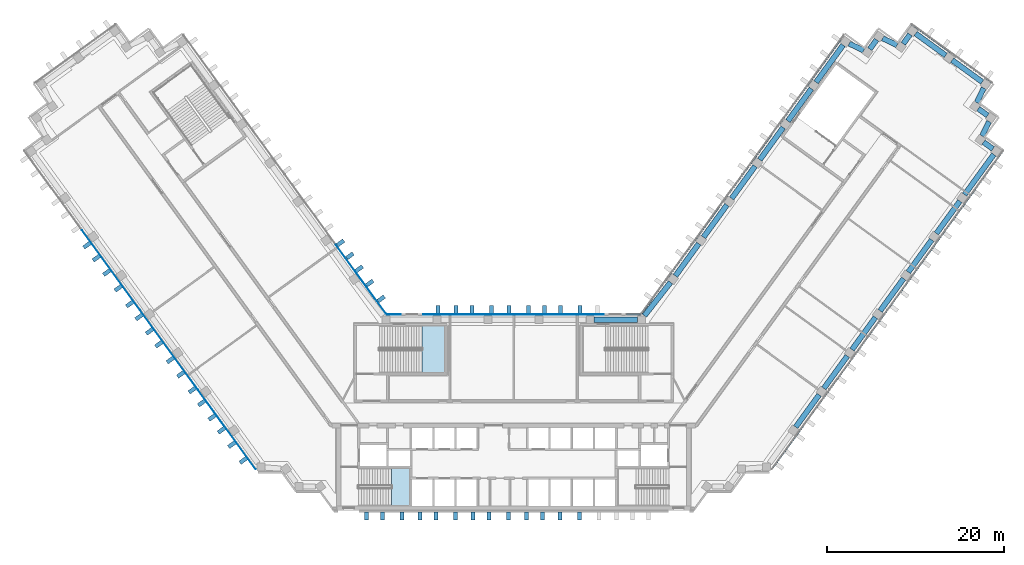
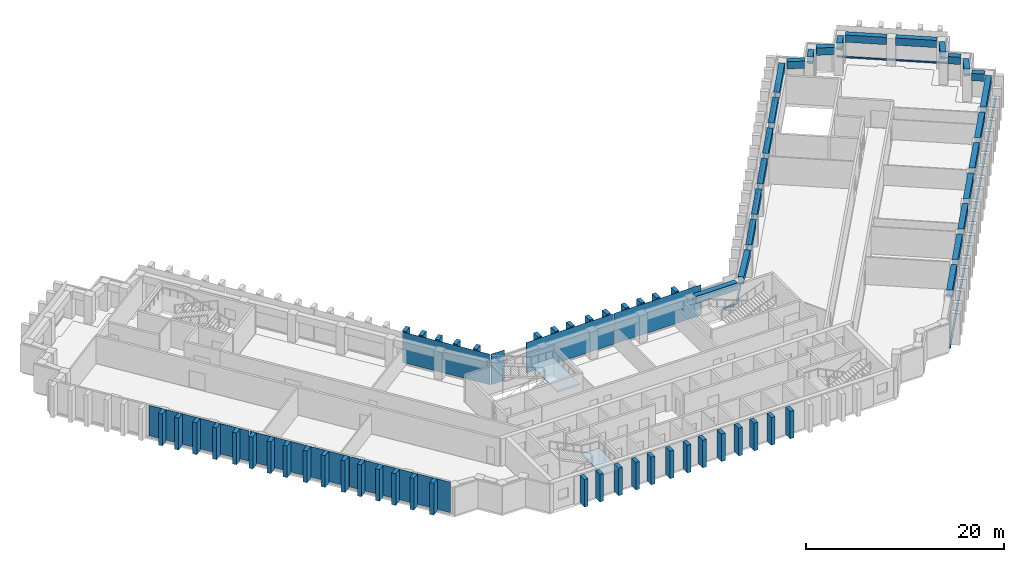
"""IFC4 building model written with IfcOpenShell, lengths in metres."""

from ifc_helpers import new_model, si_unit, direction, frame, origin, origin_2d, place, context, subcontext, project, spatial, polyline, rectangle, outline, extrude, material, layer, layer_set, material_profile, profile_set, type_object, element, aggregate, save


model = new_model("IFC4")

# Units and contexts
model_context = context("Model", 3, precision=1e-05, world=origin(), true_north=direction((0.0, 1.0)))
body_context = subcontext(model_context, "Body", "Model", "MODEL_VIEW")
ifc_project = project(units=[si_unit("LENGTHUNIT", "METRE"), si_unit("AREAUNIT", "SQUARE_METRE"), si_unit("VOLUMEUNIT", "CUBIC_METRE"), si_unit("PLANEANGLEUNIT", "RADIAN"), si_unit("MASSUNIT", "GRAM", prefix="KILO")], contexts=[model_context])

# Site, building, storey
site_placement = place(None, origin())
site = spatial("IfcSite", under=ifc_project, at=site_placement, CompositionType="ELEMENT")
building_placement = place(site_placement, origin())
building = spatial("IfcBuilding", under=site, at=building_placement, Name="Quipu Civic Tower", CompositionType="ELEMENT")
storey_1_placement = place(building_placement, frame((0.0, 0.0, 75.0)))
storey_1 = spatial("IfcBuildingStorey", under=building, at=storey_1_placement, Name="L17", CompositionType="ELEMENT", Elevation=75.0)

# Beams
ifc_material_1 = material(Name="Concrete C50/60", Category="concrete")
ifc_material_profile_1 = material_profile(ifc_material_1, rectangle(XDim=0.60009765625, YDim=0.89990234375, at=origin_2d()), Name="RC600x900")
ifc_profile_set_1 = profile_set([ifc_material_profile_1], Name="Concrete C50/60")
beam_type = type_object("IfcBeamType", Name="Spandrel beam RC 600x900 C50/60", PredefinedType="SPANDREL", material=ifc_profile_set_1)
beam_1_placement = place(storey_1_placement, frame((31.812744140625, -1.604736328125, 2.949951171875), z_axis=(0.587778073121, 0.809022210299, 0.0), x_axis=(-0.809022210299, 0.587778073121, 0.0)))
element("IfcBeam", 1, at=beam_1_placement, inside=storey_1, type_object=beam_type, Name="Spandrel beam L17 E-OUT-01 to E-OUT-02", PredefinedType="SPANDREL", context=body_context, shape_type="SweptSolid", body=[
    extrude(rectangle(XDim=0.60009765625, YDim=0.89990234375, at=origin_2d()), origin(), (0.0, 0.0, 1.0), 4.5),
])
beam_2_placement = place(storey_1_placement, frame((34.98681640625, 2.76416015625, 2.949951171875), z_axis=(0.587803872688, 0.809003465539, 0.0), x_axis=(-0.809003465539, 0.587803872688, 0.0)))
element("IfcBeam", 2, at=beam_2_placement, inside=storey_1, type_object=beam_type, Name="Spandrel beam L17 E-OUT-02 to E-OUT-03", PredefinedType="SPANDREL", context=body_context, shape_type="SweptSolid", body=[
    extrude(rectangle(XDim=0.60009765625, YDim=0.89990234375, at=origin_2d()), origin(), (0.0, 0.0, 1.0), 4.499755859375),
])
for number, where, z_axis, x_axis, name in (
    (3, (38.160888671875, 7.1328125, 2.949951171875), (0.587778073121, 0.809022210299, 0.0), (-0.809022210299, 0.587778073121, 0.0), "Spandrel beam L17 E-OUT-03 to E-OUT-04"),
    (4, (41.3349609375, 11.50146484375, 2.949951171875), (0.587778073121, 0.809022210299, 0.0), (-0.809022210299, 0.587778073121, 0.0), "Spandrel beam L17 E-OUT-04 to E-OUT-05"),
):
    element("IfcBeam", number, at=place(storey_1_placement, frame(where, z_axis=z_axis, x_axis=x_axis)), inside=storey_1, type_object=beam_type, Name=name, PredefinedType="SPANDREL", context=body_context, shape_type="SweptSolid", body=[
        extrude(rectangle(XDim=0.60009765625, YDim=0.89990234375, at=origin_2d()), origin(), (0.0, 0.0, 1.0), 4.5),
    ])
beam_3_placement = place(storey_1_placement, frame((44.5087890625, 15.870361328125, 2.949951171875), z_axis=(0.587803872688, 0.809003465539, 0.0), x_axis=(-0.809003465539, 0.587803872688, 0.0)))
element("IfcBeam", 5, at=beam_3_placement, inside=storey_1, type_object=beam_type, Name="Spandrel beam L17 E-OUT-05 to E-OUT-06", PredefinedType="SPANDREL", context=body_context, shape_type="SweptSolid", body=[
    extrude(rectangle(XDim=0.60009765625, YDim=0.89990234375, at=origin_2d()), origin(), (0.0, 0.0, 1.0), 4.499755859375),
])
beam_4_placement = place(storey_1_placement, frame((47.682861328125, 20.23876953125, 2.949951171875), z_axis=(0.587778073121, 0.809022210299, 0.0), x_axis=(-0.809022210299, 0.587778073121, 0.0)))
element("IfcBeam", 6, at=beam_4_placement, inside=storey_1, type_object=beam_type, Name="Spandrel beam L17 E-OUT-06 to E-OUT-07", PredefinedType="SPANDREL", context=body_context, shape_type="SweptSolid", body=[
    extrude(rectangle(XDim=0.60009765625, YDim=0.89990234375, at=origin_2d()), origin(), (0.0, 0.0, 1.0), 4.5),
])
beam_5_placement = place(storey_1_placement, frame((50.85693359375, 24.607666015625, 2.949951171875), z_axis=(0.587772657145, 0.809026145135, 0.0), x_axis=(-0.809026145135, 0.587772657145, 0.0)))
element("IfcBeam", 7, at=beam_5_placement, inside=storey_1, type_object=beam_type, Name="Spandrel beam L17 E-OUT-07 to T-Eo.0-E50", PredefinedType="SPANDREL", context=body_context, shape_type="SweptSolid", body=[
    extrude(rectangle(XDim=0.60009765625, YDim=0.89990234375, at=origin_2d()), origin(), (0.0, 0.0, 1.0), 5.603271484375),
])
beam_6_placement = place(storey_1_placement, frame((54.051025390625, 29.769775390625, 2.949951171875), z_axis=(-0.808549242423, 0.588428519514, 0.0), x_axis=(-0.588428519514, -0.808549242423, 0.0)))
element("IfcBeam", 8, at=beam_6_placement, inside=storey_1, type_object=beam_type, Name="Spandrel beam L17 T-Eo.0-E50 to T-Eo.1-E50", PredefinedType="SPANDREL", context=body_context, shape_type="SweptSolid", body=[
    extrude(rectangle(XDim=0.60009765625, YDim=0.89990234375, at=origin_2d()), origin(), (0.0, 0.0, 1.0), 1.2998046875),
])
beam_7_placement = place(storey_1_placement, frame((52.83349609375, 31.21240234375, 2.949951171875), z_axis=(0.431446050156, 0.902138739776, 0.0), x_axis=(-0.902138739776, 0.431446050156, 0.0)))
element("IfcBeam", 9, at=beam_7_placement, inside=storey_1, type_object=beam_type, Name="Spandrel beam L17 T-Eo.1-E50 to T-Eo.2-E50", PredefinedType="SPANDREL", context=body_context, shape_type="SweptSolid", body=[
    extrude(rectangle(XDim=0.60009765625, YDim=0.89990234375, at=origin_2d()), origin(), (0.0, 0.0, 1.0), 1.828857421875),
])
beam_8_placement = place(storey_1_placement, frame((53.4560546875, 33.539794921875, 2.949951171875), z_axis=(-0.808509099783, 0.588483674853, 0.0), x_axis=(-0.588483674853, -0.808509099783, 0.0)))
element("IfcBeam", 10, at=beam_8_placement, inside=storey_1, type_object=beam_type, Name="Spandrel beam L17 T-Eo.2-E50 to T-Eo.3-E50", PredefinedType="SPANDREL", context=body_context, shape_type="SweptSolid", body=[
    extrude(rectangle(XDim=0.60009765625, YDim=0.89990234375, at=origin_2d()), origin(), (0.0, 0.0, 1.0), 1.302734375),
])
beam_9_placement = place(storey_1_placement, frame((52.23583984375, 34.984375, 2.949951171875), z_axis=(0.430166558323, 0.902749540072, 0.0), x_axis=(-0.902749540072, 0.430166558323, 0.0)))
element("IfcBeam", 11, at=beam_9_placement, inside=storey_1, type_object=beam_type, Name="Spandrel beam L17 T-Eo.3-E50 to T-Eo.4-E50", PredefinedType="SPANDREL", context=body_context, shape_type="SweptSolid", body=[
    extrude(rectangle(XDim=0.60009765625, YDim=0.89990234375, at=origin_2d()), origin(), (0.0, 0.0, 1.0), 1.830322265625),
])
beam_10_placement = place(storey_1_placement, frame((52.85595703125, 37.314453125, 2.949951171875), z_axis=(-0.808959834407, 0.587863918196, 0.0), x_axis=(-0.587863918196, -0.808959834407, 0.0)))
element("IfcBeam", 12, at=beam_10_placement, inside=storey_1, type_object=beam_type, Name="Spandrel beam L17 T-Eo.4-E50 to TIP-E-01-E50", PredefinedType="SPANDREL", context=body_context, shape_type="SweptSolid", body=[
    extrude(rectangle(XDim=0.60009765625, YDim=0.89990234375, at=origin_2d()), origin(), (0.0, 0.0, 1.0), 4.1982421875),
])
beam_11_placement = place(storey_1_placement, frame((48.731689453125, 40.3115234375, 2.949951171875), z_axis=(-0.808969789945, 0.58785021813, 0.0), x_axis=(-0.58785021813, -0.808969789945, 0.0)))
element("IfcBeam", 13, at=beam_11_placement, inside=storey_1, type_object=beam_type, Name="Spandrel beam L17 TIP-E-01-E50 to T-Ei.0-E50", PredefinedType="SPANDREL", context=body_context, shape_type="SweptSolid", body=[
    extrude(rectangle(XDim=0.60009765625, YDim=0.89990234375, at=origin_2d()), origin(), (0.0, 0.0, 1.0), 4.199951171875),
])
beam_12_placement = place(storey_1_placement, frame((44.705322265625, 42.68115234375, 2.949951171875), z_axis=(-0.588383572423, -0.808581951136, 0.0), x_axis=(0.808581951136, -0.588383572423, 0.0)))
element("IfcBeam", 14, at=beam_12_placement, inside=storey_1, type_object=beam_type, Name="Spandrel beam L17 T-Ei.0-E50 to T-Ei.1-E50", PredefinedType="SPANDREL", context=body_context, shape_type="SweptSolid", body=[
    extrude(rectangle(XDim=0.60009765625, YDim=0.89990234375, at=origin_2d()), origin(), (0.0, 0.0, 1.0), 1.3017578125),
])
beam_13_placement = place(storey_1_placement, frame((43.261474609375, 41.4619140625, 2.949951171875), z_axis=(-0.902613270121, 0.430452418511, 0.0), x_axis=(-0.430452418511, -0.902613270121, 0.0)))
element("IfcBeam", 15, at=beam_13_placement, inside=storey_1, type_object=beam_type, Name="Spandrel beam L17 T-Ei.1-E50 to T-Ei.2-E50", PredefinedType="SPANDREL", context=body_context, shape_type="SweptSolid", body=[
    extrude(rectangle(XDim=0.60009765625, YDim=0.89990234375, at=origin_2d()), origin(), (0.0, 0.0, 1.0), 1.826416015625),
])
beam_14_placement = place(storey_1_placement, frame((40.935302734375, 42.0810546875, 2.949951171875), z_axis=(-0.588461937499, -0.808524921146, 0.0), x_axis=(0.808524921146, -0.588461937499, 0.0)))
element("IfcBeam", 16, at=beam_14_placement, inside=storey_1, type_object=beam_type, Name="Spandrel beam L17 T-Ei.2-E50 to T-Ei.3-E50", PredefinedType="SPANDREL", context=body_context, shape_type="SweptSolid", body=[
    extrude(rectangle(XDim=0.60009765625, YDim=0.89990234375, at=origin_2d()), origin(), (0.0, 0.0, 1.0), 1.30029296875),
])
beam_15_placement = place(storey_1_placement, frame((39.492431640625, 40.863037109375, 2.949951171875), z_axis=(-0.90245397739, 0.430786279601, 0.0), x_axis=(-0.430786279601, -0.90245397739, 0.0)))
element("IfcBeam", 17, at=beam_15_placement, inside=storey_1, type_object=beam_type, Name="Spandrel beam L17 T-Ei.3-E50 to T-Ei.4-E50", PredefinedType="SPANDREL", context=body_context, shape_type="SweptSolid", body=[
    extrude(rectangle(XDim=0.60009765625, YDim=0.89990234375, at=origin_2d()), origin(), (0.0, 0.0, 1.0), 1.83349609375),
])
beam_16_placement = place(storey_1_placement, frame((37.160400390625, 41.48583984375, 2.949951171875), z_axis=(-0.587732861365, -0.80905505602, 0.0), x_axis=(0.80905505602, -0.587732861365, 0.0)))
element("IfcBeam", 18, at=beam_16_placement, inside=storey_1, type_object=beam_type, Name="Spandrel beam L17 T-Ei.4-E50 to E-IN-06", PredefinedType="SPANDREL", context=body_context, shape_type="SweptSolid", body=[
    extrude(rectangle(XDim=0.60009765625, YDim=0.89990234375, at=origin_2d()), origin(), (0.0, 0.0, 1.0), 5.194580078125),
])
for number, where, z_axis, x_axis, name in (
    (19, (33.578369140625, 36.55517578125, 2.949951171875), (-0.587716763865, -0.809066749701, 0.0), (0.809066749701, -0.587716763865, 0.0), "Spandrel beam L17 E-IN-06 to E-IN-05"),
    (20, (30.404541015625, 32.186279296875, 2.949951171875), (-0.587742561851, -0.809048009076, 0.0), (0.809048009076, -0.587742561851, 0.0), "Spandrel beam L17 E-IN-05 to E-IN-04"),
    (21, (27.230712890625, 27.8173828125, 2.949951171875), (-0.587778073121, -0.809022210299, 0.0), (0.809022210299, -0.587778073121, 0.0), "Spandrel beam L17 E-IN-04 to E-IN-03"),
    (22, (24.056884765625, 23.448486328125, 2.949951171875), (-0.587778073121, -0.809022210299, 0.0), (0.809022210299, -0.587778073121, 0.0), "Spandrel beam L17 E-IN-03 to E-IN-02"),
    (23, (20.8828125, 19.079833984375, 2.949951171875), (-0.587716763865, -0.809066749701, 0.0), (0.809066749701, -0.587716763865, 0.0), "Spandrel beam L17 E-IN-02 to E-IN-01"),
):
    element("IfcBeam", number, at=place(storey_1_placement, frame(where, z_axis=z_axis, x_axis=x_axis)), inside=storey_1, type_object=beam_type, Name=name, PredefinedType="SPANDREL", context=body_context, shape_type="SweptSolid", body=[
        extrude(rectangle(XDim=0.60009765625, YDim=0.89990234375, at=origin_2d()), origin(), (0.0, 0.0, 1.0), 4.5),
    ])
beam_17_placement = place(storey_1_placement, frame((17.6962890625, 14.72021484375, 2.949951171875), z_axis=(-0.616123961998, -0.787649200756, 0.0), x_axis=(0.787649200756, -0.616123961998, 0.0)))
element("IfcBeam", 24, at=beam_17_placement, inside=storey_1, type_object=beam_type, Name="Spandrel beam L17 E-IN-01 to J-Ei.0", PredefinedType="SPANDREL", context=body_context, shape_type="SweptSolid", body=[
    extrude(rectangle(XDim=0.60009765625, YDim=0.89990234375, at=origin_2d()), origin(), (0.0, 0.0, 1.0), 4.78662109375),
])
beam_18_placement = place(storey_1_placement, frame((13.9453125, 10.5, 2.949951171875), z_axis=(-1.0, 0.0, 0.0), x_axis=(0.0, -1.0, 0.0)))
element("IfcBeam", 25, at=beam_18_placement, inside=storey_1, type_object=beam_type, Name="Spandrel beam L17 J-Ei.0 to FRONT-01", PredefinedType="SPANDREL", context=body_context, shape_type="SweptSolid", body=[
    extrude(rectangle(XDim=0.60009765625, YDim=0.89990234375, at=origin_2d()), origin(), (0.0, 0.0, 1.0), 4.858154296875),
])

# Storey
storey_2_placement = place(building_placement, frame((0.0, 0.0, 71.0)))
storey_2 = spatial("IfcBuildingStorey", under=building, at=storey_2_placement, Name="L16", CompositionType="ELEMENT", Elevation=71.0)

# Curtain wall, members
ifc_material_2 = material(Name="Insulated glass unit", Category="glass")
curtain_wall_type = type_object("IfcCurtainWallType", Name="Office curtain wall CW1", PredefinedType="NOTDEFINED", material=ifc_material_2)
curtain_wall_1_placement = place(storey_2_placement, origin())
curtain_wall_1 = element("IfcCurtainWall", 26, at=curtain_wall_1_placement, inside=storey_2, type_object=curtain_wall_type, Name="Office curtain wall CW1 L15 run 20", PredefinedType="NOTDEFINED")
ifc_material_3 = material(Name="Anodised aluminium", Category="aluminium")
ifc_material_profile_2 = material_profile(ifc_material_3, rectangle(XDim=0.199951171875, YDim=0.159912109375, at=origin_2d()), Name="RECT 200x160")
ifc_profile_set_2 = profile_set([ifc_material_profile_2], Name="Anodised aluminium")
member_type = type_object("IfcMemberType", Name="Transom CW1", PredefinedType="USERDEFINED", material=ifc_profile_set_2)
member_1_placement = place(storey_1_placement, frame((29.10302734375, -6.35546875, 0.080078125), z_axis=(0.587779179422, 0.809021406539, 0.0), x_axis=(-0.809021406539, 0.587779179422, 0.0)))
member_1 = element("IfcMember", 27, at=member_1_placement, inside=storey_1, type_object=member_type, Name="CW1 transom 1.3", ObjectType="TRANSOM", PredefinedType="USERDEFINED", context=body_context, shape_type="SweptSolid", body=[
    extrude(rectangle(XDim=0.199951171875, YDim=0.159912109375, at=origin_2d()), origin(), (0.0, 0.0, 1.0), 11.02294921875),
])
member_2_placement = place(storey_1_placement, frame((35.62890625, 2.626953125, 0.080078125), z_axis=(0.587795037589, 0.80900988485, 0.0), x_axis=(-0.80900988485, 0.587795037589, 0.0)))
member_2 = element("IfcMember", 28, at=member_2_placement, inside=storey_1, type_object=member_type, Name="CW1 transom 2.3", ObjectType="TRANSOM", PredefinedType="USERDEFINED", context=body_context, shape_type="SweptSolid", body=[
    extrude(rectangle(XDim=0.199951171875, YDim=0.159912109375, at=origin_2d()), origin(), (0.0, 0.0, 1.0), 11.062744140625),
])
member_3_placement = place(storey_1_placement, frame((42.178466796875, 11.6416015625, 0.080078125), z_axis=(0.587795037589, 0.80900988485, 0.0), x_axis=(-0.80900988485, 0.587795037589, 0.0)))
member_3 = element("IfcMember", 29, at=member_3_placement, inside=storey_1, type_object=member_type, Name="CW1 transom 3.3", ObjectType="TRANSOM", PredefinedType="USERDEFINED", context=body_context, shape_type="SweptSolid", body=[
    extrude(rectangle(XDim=0.199951171875, YDim=0.159912109375, at=origin_2d()), origin(), (0.0, 0.0, 1.0), 11.062744140625),
])
member_4_placement = place(storey_1_placement, frame((48.72802734375, 20.65625, 0.080078125), z_axis=(0.587779179422, 0.809021406539, 0.0), x_axis=(-0.809021406539, 0.587779179422, 0.0)))
member_4 = element("IfcMember", 30, at=member_4_placement, inside=storey_1, type_object=member_type, Name="CW1 transom 4.3", ObjectType="TRANSOM", PredefinedType="USERDEFINED", context=body_context, shape_type="SweptSolid", body=[
    extrude(rectangle(XDim=0.199951171875, YDim=0.159912109375, at=origin_2d()), origin(), (0.0, 0.0, 1.0), 11.02294921875),
])
aggregate(curtain_wall_1, [member_1, member_2, member_3, member_4])

# Curtain wall, member
curtain_wall_2_placement = place(storey_2_placement, origin())
curtain_wall_2 = element("IfcCurtainWall", 31, at=curtain_wall_2_placement, inside=storey_2, type_object=curtain_wall_type, Name="Office curtain wall CW1 L15 run 25", PredefinedType="NOTDEFINED")
member_5_placement = place(storey_1_placement, frame((53.994873046875, 37.228515625, 0.080078125), z_axis=(-0.809032792449, 0.587763507495, 0.0), x_axis=(-0.587763507495, -0.809032792449, 0.0)))
member_5 = element("IfcMember", 32, at=member_5_placement, inside=storey_1, type_object=member_type, Name="CW1 transom 1.3", ObjectType="TRANSOM", PredefinedType="USERDEFINED", context=body_context, shape_type="SweptSolid", body=[
    extrude(rectangle(XDim=0.199951171875, YDim=0.159912109375, at=origin_2d()), origin(), (0.0, 0.0, 1.0), 11.239990234375),
])
aggregate(curtain_wall_2, [member_5])

# Curtain wall, members
curtain_wall_3_placement = place(storey_2_placement, origin())
curtain_wall_3 = element("IfcCurtainWall", 33, at=curtain_wall_3_placement, inside=storey_2, type_object=curtain_wall_type, Name="Office curtain wall CW1 L15 run 30", PredefinedType="NOTDEFINED")
member_6_placement = place(storey_1_placement, frame((37.246826171875, 42.622802734375, 0.080078125), z_axis=(-0.587775627857, -0.809023986849, 0.0), x_axis=(0.809023986849, -0.587775627857, 0.0)))
member_6 = element("IfcMember", 34, at=member_6_placement, inside=storey_1, type_object=member_type, Name="CW1 transom 1.3", ObjectType="TRANSOM", PredefinedType="USERDEFINED", context=body_context, shape_type="SweptSolid", body=[
    extrude(rectangle(XDim=0.199951171875, YDim=0.159912109375, at=origin_2d()), origin(), (0.0, 0.0, 1.0), 9.64111328125),
])
member_7_placement = place(storey_1_placement, frame((31.532958984375, 34.75830078125, 0.080078125), z_axis=(-0.58778177227, -0.809019522748, 0.0), x_axis=(0.809019522748, -0.58778177227, 0.0)))
member_7 = element("IfcMember", 35, at=member_7_placement, inside=storey_1, type_object=member_type, Name="CW1 transom 2.3", ObjectType="TRANSOM", PredefinedType="USERDEFINED", context=body_context, shape_type="SweptSolid", body=[
    extrude(rectangle(XDim=0.199951171875, YDim=0.159912109375, at=origin_2d()), origin(), (0.0, 0.0, 1.0), 9.68115234375),
])
member_8_placement = place(storey_1_placement, frame((25.795654296875, 26.861328125, 0.080078125), z_axis=(-0.587793764301, -0.80901080997, 0.0), x_axis=(0.80901080997, -0.587793764301, 0.0)))
member_8 = element("IfcMember", 36, at=member_8_placement, inside=storey_1, type_object=member_type, Name="CW1 transom 3.3", ObjectType="TRANSOM", PredefinedType="USERDEFINED", context=body_context, shape_type="SweptSolid", body=[
    extrude(rectangle(XDim=0.199951171875, YDim=0.159912109375, at=origin_2d()), origin(), (0.0, 0.0, 1.0), 9.680908203125),
])
member_9_placement = place(storey_1_placement, frame((20.05810546875, 18.964599609375, 0.080078125), z_axis=(-0.58779220199, -0.809011945079, 0.0), x_axis=(0.809011945079, -0.58779220199, 0.0)))
member_9 = element("IfcMember", 37, at=member_9_placement, inside=storey_1, type_object=member_type, Name="CW1 transom 4.3", ObjectType="TRANSOM", PredefinedType="USERDEFINED", context=body_context, shape_type="SweptSolid", body=[
    extrude(rectangle(XDim=0.199951171875, YDim=0.159912109375, at=origin_2d()), origin(), (0.0, 0.0, 1.0), 9.64111328125),
])
aggregate(curtain_wall_3, [member_6, member_7, member_8, member_9])

# Curtain wall, member
curtain_wall_4_placement = place(storey_2_placement, origin())
curtain_wall_4 = element("IfcCurtainWall", 38, at=curtain_wall_4_placement, inside=storey_2, type_object=curtain_wall_type, Name="Office curtain wall CW1 L15 run 31", PredefinedType="NOTDEFINED")
member_10_placement = place(storey_1_placement, frame((14.26416015625, 11.10009765625, 0.080078125), z_axis=(-1.0, 0.0, 0.0), x_axis=(0.0, -1.0, 0.0)))
member_10 = element("IfcMember", 39, at=member_10_placement, inside=storey_1, type_object=member_type, Name="CW1 transom 1.3", ObjectType="TRANSOM", PredefinedType="USERDEFINED", context=body_context, shape_type="SweptSolid", body=[
    extrude(rectangle(XDim=0.199951171875, YDim=0.159912109375, at=origin_2d()), origin(), (0.0, 0.0, 1.0), 1.529052734375),
])
aggregate(curtain_wall_4, [member_10])

# Curtain wall, plate
curtain_wall_5_placement = place(storey_2_placement, origin())
curtain_wall_5 = element("IfcCurtainWall", 40, at=curtain_wall_5_placement, inside=storey_2, type_object=curtain_wall_type, Name="Office curtain wall CW1 L15 run 1", PredefinedType="NOTDEFINED")
ifc_material_4 = material(Name="Insulated glass unit", Category="glass")
ifc_layer_1 = layer(ifc_material_4, 0.028076171875)
ifc_layer_set_1 = layer_set([ifc_layer_1], Name="Insulated glass unit")
plate_type_1 = type_object("IfcPlateType", Name="Glass panel CW1", PredefinedType="CURTAIN_PANEL", material=ifc_layer_set_1)
plate_1_placement = place(storey_1_placement, frame((-17.224609375, 15.064697265625, 0.16015625), z_axis=(0.0, 0.0, 1.0), x_axis=(-0.587785887566, 0.809016532822, 0.0)))
plate_1 = element("IfcPlate", 41, at=plate_1_placement, inside=storey_1, type_object=plate_type_1, Name="CW1 panel 1.3", PredefinedType="CURTAIN_PANEL", context=body_context, shape_type="SweptSolid", body=[
    extrude(rectangle(XDim=9.64111328125, YDim=0.028076171875, at=origin_2d()), origin(), (0.0, 0.0, 1.0), 3.760009765625),
])
aggregate(curtain_wall_5, [plate_1])

# Curtain wall, plates
curtain_wall_6_placement = place(storey_2_placement, origin())
curtain_wall_6 = element("IfcCurtainWall", 42, at=curtain_wall_6_placement, inside=storey_2, type_object=curtain_wall_type, Name="Office curtain wall CW1 L15 run 8", PredefinedType="NOTDEFINED")
plate_2_placement = place(storey_1_placement, frame((-45.4296875, 16.11669921875, 0.16015625), z_axis=(0.0, 0.0, 1.0), x_axis=(0.587785559869, -0.809016770908, 0.0)))
plate_2 = element("IfcPlate", 43, at=plate_2_placement, inside=storey_1, type_object=plate_type_1, Name="CW1 panel 2.3", PredefinedType="CURTAIN_PANEL", context=body_context, shape_type="SweptSolid", body=[
    extrude(rectangle(XDim=11.062744140625, YDim=0.028076171875, at=origin_2d()), origin(), (0.0, 0.0, 1.0), 3.760009765625),
])
plate_3_placement = place(storey_1_placement, frame((-38.880126953125, 7.101806640625, 0.16015625), z_axis=(0.0, 0.0, 1.0), x_axis=(0.587785559869, -0.809016770908, 0.0)))
plate_3 = element("IfcPlate", 44, at=plate_3_placement, inside=storey_1, type_object=plate_type_1, Name="CW1 panel 3.3", PredefinedType="CURTAIN_PANEL", context=body_context, shape_type="SweptSolid", body=[
    extrude(rectangle(XDim=11.062744140625, YDim=0.028076171875, at=origin_2d()), origin(), (0.0, 0.0, 1.0), 3.760009765625),
])
plate_4_placement = place(storey_1_placement, frame((-32.342529296875, -1.896484375, 0.16015625), z_axis=(0.0, 0.0, 1.0), x_axis=(0.587785559869, -0.809016770908, 0.0)))
plate_4 = element("IfcPlate", 45, at=plate_4_placement, inside=storey_1, type_object=plate_type_1, Name="CW1 panel 4.3", PredefinedType="CURTAIN_PANEL", context=body_context, shape_type="SweptSolid", body=[
    extrude(rectangle(XDim=11.022705078125, YDim=0.028076171875, at=origin_2d()), origin(), (0.0, 0.0, 1.0), 3.760009765625),
])
aggregate(curtain_wall_6, [plate_2, plate_3, plate_4])

curtain_wall_7_placement = place(storey_2_placement, origin())
curtain_wall_7 = element("IfcCurtainWall", 46, at=curtain_wall_7_placement, inside=storey_2, type_object=curtain_wall_type, Name="Office curtain wall CW1 L15 run 33", PredefinedType="NOTDEFINED")
plate_5_placement = place(storey_1_placement, frame((5.11181640625, 11.10009765625, 0.16015625), z_axis=(0.0, 0.0, 1.0), x_axis=(-1.0, 0.0, 0.0)))
plate_5 = element("IfcPlate", 47, at=plate_5_placement, inside=storey_1, type_object=plate_type_1, Name="CW1 panel 1.3", PredefinedType="CURTAIN_PANEL", context=body_context, shape_type="SweptSolid", body=[
    extrude(rectangle(XDim=10.1435546875, YDim=0.028076171875, at=origin_2d()), origin(), (0.0, 0.0, 1.0), 3.760009765625),
])
plate_6_placement = place(storey_1_placement, frame((-5.11181640625, 11.10009765625, 0.16015625), z_axis=(0.0, 0.0, 1.0), x_axis=(-1.0, 0.0, 0.0)))
plate_6 = element("IfcPlate", 48, at=plate_6_placement, inside=storey_1, type_object=plate_type_1, Name="CW1 panel 2.3", PredefinedType="CURTAIN_PANEL", context=body_context, shape_type="SweptSolid", body=[
    extrude(rectangle(XDim=10.1435546875, YDim=0.028076171875, at=origin_2d()), origin(), (0.0, 0.0, 1.0), 3.760009765625),
])
aggregate(curtain_wall_7, [plate_5, plate_6])

# Curtain wall, plate
curtain_wall_8_placement = place(storey_2_placement, origin())
curtain_wall_8 = element("IfcCurtainWall", 49, at=curtain_wall_8_placement, inside=storey_2, type_object=curtain_wall_type, Name="Office curtain wall CW1 L15 run 35", PredefinedType="NOTDEFINED")
plate_7_placement = place(storey_1_placement, frame((-13.49951171875, 11.10009765625, 0.16015625), z_axis=(0.0, 0.0, 1.0), x_axis=(-1.0, 0.0, 0.0)))
plate_7 = element("IfcPlate", 50, at=plate_7_placement, inside=storey_1, type_object=plate_type_1, Name="CW1 panel 1.3", PredefinedType="CURTAIN_PANEL", context=body_context, shape_type="SweptSolid", body=[
    extrude(rectangle(XDim=1.529296875, YDim=0.028076171875, at=origin_2d()), origin(), (0.0, 0.0, 1.0), 3.760009765625),
])
aggregate(curtain_wall_8, [plate_7])

# Plates
ifc_material_5 = material(Name="Precast concrete C40/50", Category="concrete")
plate_type_2 = type_object("IfcPlateType", Name="Precast fin F1", PredefinedType="SHEET", material=ifc_material_5)
for number, where, z_axis, x_axis, name in (
    (51, (-14.942138671875, 12.8583984375, 0.080078125), (0.0, 0.0, 1.0), (-0.587784944053, 0.809017218324, 0.0), "Precast fin F1 L17.P01.1"),
    (52, (-16.235107421875, 14.638427734375, 0.080078125), (0.0, 0.0, 1.0), (-0.587784944053, 0.809017218324, 0.0), "Precast fin F1 L17.P01.2"),
    (53, (-17.41064453125, 16.25634765625, 0.080078125), (0.0, 0.0, 1.0), (-0.587784944053, 0.809017218324, 0.0), "Precast fin F1 L17.P01.3"),
    (54, (-18.46875, 17.712646484375, 0.080078125), (0.0, 0.0, 1.0), (-0.587784944053, 0.809017218324, 0.0), "Precast fin F1 L17.P01.4"),
    (55, (-19.52685546875, 19.1689453125, 0.080078125), (0.0, 0.0, 1.0), (-0.587784944053, 0.809017218324, 0.0), "Precast fin F1 L17.P01.5"),
    (56, (-48.13134765625, 18.899169921875, 0.080078125), (0.0, 0.0, 1.0), (0.587785716149, -0.809016657363, 0.0), "Precast fin F1 L17.P08.7"),
    (57, (-47.0732421875, 17.443115234375, 0.080078125), (0.0, 0.0, 1.0), (0.587785716149, -0.809016657363, 0.0), "Precast fin F1 L17.P08.8"),
    (58, (-45.897705078125, 15.824951171875, 0.080078125), (0.0, 0.0, 1.0), (0.587785716149, -0.809016657363, 0.0), "Precast fin F1 L17.P08.9"),
    (59, (-44.6044921875, 14.045166015625, 0.080078125), (0.0, 0.0, 1.0), (0.587785716149, -0.809016657363, 0.0), "Precast fin F1 L17.P08.10"),
    (60, (-43.3115234375, 12.265380859375, 0.080078125), (0.0, 0.0, 1.0), (0.587785716149, -0.809016657363, 0.0), "Precast fin F1 L17.P08.11"),
    (61, (-42.25341796875, 10.80908203125, 0.080078125), (0.0, 0.0, 1.0), (0.587785716149, -0.809016657363, 0.0), "Precast fin F1 L17.P08.12"),
    (62, (-41.077880859375, 9.191162109375, 0.080078125), (0.0, 0.0, 1.0), (0.587785716149, -0.809016657363, 0.0), "Precast fin F1 L17.P08.13"),
    (63, (-40.019775390625, 7.73486328125, 0.080078125), (0.0, 0.0, 1.0), (0.587785716149, -0.809016657363, 0.0), "Precast fin F1 L17.P08.14"),
    (64, (-38.726806640625, 5.955078125, 0.080078125), (0.0, 0.0, 1.0), (0.587785716149, -0.809016657363, 0.0), "Precast fin F1 L17.P08.15"),
    (65, (-37.55126953125, 4.3369140625, 0.080078125), (0.0, 0.0, 1.0), (0.587785716149, -0.809016657363, 0.0), "Precast fin F1 L17.P08.16"),
    (66, (-36.258056640625, 2.55712890625, 0.080078125), (0.0, 0.0, 1.0), (0.587785716149, -0.809016657363, 0.0), "Precast fin F1 L17.P08.17"),
    (67, (-35.199951171875, 1.100830078125, 0.080078125), (0.0, 0.0, 1.0), (0.587785716149, -0.809016657363, 0.0), "Precast fin F1 L17.P08.18"),
    (68, (-34.0244140625, -0.51708984375, 0.080078125), (0.0, 0.0, 1.0), (0.587785716149, -0.809016657363, 0.0), "Precast fin F1 L17.P08.19"),
    (69, (-32.96630859375, -1.973388671875, 0.080078125), (0.0, 0.0, 1.0), (0.587785716149, -0.809016657363, 0.0), "Precast fin F1 L17.P08.20"),
    (70, (-31.790771484375, -3.59130859375, 0.080078125), (0.0, 0.0, 1.0), (0.587785716149, -0.809016657363, 0.0), "Precast fin F1 L17.P08.21"),
    (71, (-30.497802734375, -5.371337890625, 0.080078125), (0.0, 0.0, 1.0), (0.587785716149, -0.809016657363, 0.0), "Precast fin F1 L17.P08.22"),
):
    element("IfcPlate", number, at=place(storey_1_placement, frame(where, z_axis=z_axis, x_axis=x_axis)), inside=storey_1, type_object=plate_type_2, Name=name, PredefinedType="SHEET", context=body_context, shape_type="SweptSolid", body=[
        extrude(rectangle(XDim=0.449951171875, YDim=0.89990234375, at=origin_2d()), origin(), (0.0, 0.0, 1.0), 3.919921875),
    ])
for number, where, z_axis, x_axis, name in (
    (72, (-16.574951171875, -11.637939453125, 0.0), (0.0, 0.0, 1.0), (1.0, 0.0, 0.0), "Precast fin F1 L17.P15.1"),
    (73, (-14.77490234375, -11.637939453125, 0.0), (0.0, 0.0, 1.0), (1.0, 0.0, 0.0), "Precast fin F1 L17.P15.2"),
    (74, (-12.574951171875, -11.637939453125, 0.0), (0.0, 0.0, 1.0), (1.0, 0.0, 0.0), "Precast fin F1 L17.P15.3"),
    (75, (-10.574951171875, -11.637939453125, 0.0), (0.0, 0.0, 1.0), (1.0, 0.0, 0.0), "Precast fin F1 L17.P15.4"),
    (76, (-8.77490234375, -11.637939453125, 0.0), (0.0, 0.0, 1.0), (1.0, 0.0, 0.0), "Precast fin F1 L17.P15.5"),
    (77, (-6.574951171875, -11.637939453125, 0.0), (0.0, 0.0, 1.0), (1.0, 0.0, 0.0), "Precast fin F1 L17.P15.6"),
    (78, (-4.574951171875, -11.637939453125, 0.0), (0.0, 0.0, 1.0), (1.0, 0.0, 0.0), "Precast fin F1 L17.P15.7"),
    (79, (-2.77490234375, -11.637939453125, 0.0), (0.0, 0.0, 1.0), (1.0, 0.0, 0.0), "Precast fin F1 L17.P15.8"),
    (80, (-0.574951171875, -11.637939453125, 0.0), (0.0, 0.0, 1.0), (1.0, 0.0, 0.0), "Precast fin F1 L17.P15.9"),
    (81, (1.425048828125, -11.637939453125, 0.0), (0.0, 0.0, 1.0), (1.0, 0.0, 0.0), "Precast fin F1 L17.P15.10"),
    (82, (3.22509765625, -11.637939453125, 0.0), (0.0, 0.0, 1.0), (1.0, 0.0, 0.0), "Precast fin F1 L17.P15.11"),
    (83, (5.22509765625, -11.637939453125, 0.0), (0.0, 0.0, 1.0), (1.0, 0.0, 0.0), "Precast fin F1 L17.P15.12"),
    (84, (7.425048828125, -11.637939453125, 0.0), (0.0, 0.0, 1.0), (1.0, 0.0, 0.0), "Precast fin F1 L17.P15.13"),
):
    element("IfcPlate", number, at=place(storey_1_placement, frame(where, z_axis=z_axis, x_axis=x_axis)), inside=storey_1, type_object=plate_type_2, Name=name, PredefinedType="SHEET", context=body_context, shape_type="SweptSolid", body=[
        extrude(rectangle(XDim=0.449951171875, YDim=0.89990234375, at=origin_2d()), origin(), (0.0, 0.0, 1.0), 3.39990234375),
    ])
for number, where, z_axis, x_axis, name in (
    (85, (7.47509765625, 11.64990234375, 0.080078125), (0.0, 0.0, 1.0), (-1.0, 0.0, 0.0), "Precast fin F1 L17.P34.2"),
    (86, (5.27490234375, 11.64990234375, 0.080078125), (0.0, 0.0, 1.0), (-1.0, 0.0, 0.0), "Precast fin F1 L17.P34.3"),
    (87, (3.47509765625, 11.64990234375, 0.080078125), (0.0, 0.0, 1.0), (-1.0, 0.0, 0.0), "Precast fin F1 L17.P34.4"),
    (88, (1.675048828125, 11.64990234375, 0.080078125), (0.0, 0.0, 1.0), (-1.0, 0.0, 0.0), "Precast fin F1 L17.P34.5"),
    (89, (-0.52490234375, 11.64990234375, 0.080078125), (0.0, 0.0, 1.0), (-1.0, 0.0, 0.0), "Precast fin F1 L17.P34.6"),
    (90, (-2.52490234375, 11.64990234375, 0.080078125), (0.0, 0.0, 1.0), (-1.0, 0.0, 0.0), "Precast fin F1 L17.P34.7"),
    (91, (-4.72509765625, 11.64990234375, 0.080078125), (0.0, 0.0, 1.0), (-1.0, 0.0, 0.0), "Precast fin F1 L17.P34.8"),
    (92, (-6.52490234375, 11.64990234375, 0.080078125), (0.0, 0.0, 1.0), (-1.0, 0.0, 0.0), "Precast fin F1 L17.P34.9"),
    (93, (-8.52490234375, 11.64990234375, 0.080078125), (0.0, 0.0, 1.0), (-1.0, 0.0, 0.0), "Precast fin F1 L17.P34.10"),
):
    element("IfcPlate", number, at=place(storey_1_placement, frame(where, z_axis=z_axis, x_axis=x_axis)), inside=storey_1, type_object=plate_type_2, Name=name, PredefinedType="SHEET", context=body_context, shape_type="SweptSolid", body=[
        extrude(rectangle(XDim=0.449951171875, YDim=0.89990234375, at=origin_2d()), origin(), (0.0, 0.0, 1.0), 3.919921875),
    ])

# Stair, slab
ifc_material_6 = material(Name="Concrete C40/50", Category="concrete")
stair_type_1 = type_object("IfcStairType", Name="Half turn stair 2000", PredefinedType="HALF_TURN_STAIR", material=ifc_material_6)
stair_1_placement = place(storey_1_placement, origin())
stair_1 = element("IfcStair", 94, at=stair_1_placement, inside=storey_1, type_object=stair_type_1, Name="Exit stair 1", PredefinedType="HALF_TURN_STAIR")
ifc_material_7 = material(Name="Concrete C40/50", Category="concrete")
ifc_layer_2 = layer(ifc_material_7, 0.199951171875)
ifc_layer_set_2 = layer_set([ifc_layer_2], Name="Concrete C40/50")
slab_type = type_object("IfcSlabType", Name="Stair landing 200", PredefinedType="LANDING", material=ifc_layer_set_2)
slab_1_placement = place(storey_1_placement, frame((0.0, 0.0, 1.800048828125)))
slab_1 = element("IfcSlab", 95, at=slab_1_placement, type_object=slab_type, Name="ST-1 landing 1", PredefinedType="LANDING", context=body_context, shape_type="SweptSolid", body=[
    extrude(outline(polyline([(-13.780029296875, -10.5), (-11.699951171875, -10.5), (-11.699951171875, -6.25), (-13.780029296875, -6.25), (-13.780029296875, -10.5)])), origin(), (0.0, 0.0, 1.0), 0.199951171875),
])
aggregate(stair_1, [slab_1])

ifc_material_8 = material(Name="Concrete C40/50", Category="concrete")
stair_type_2 = type_object("IfcStairType", Name="Half turn stair 2600", PredefinedType="HALF_TURN_STAIR", material=ifc_material_8)
stair_2_placement = place(storey_1_placement, origin())
stair_2 = element("IfcStair", 96, at=stair_2_placement, inside=storey_1, type_object=stair_type_2, Name="Exit stair 3", PredefinedType="HALF_TURN_STAIR")
slab_2_placement = place(storey_1_placement, frame((0.0, 0.0, 1.800048828125)))
slab_2 = element("IfcSlab", 97, at=slab_2_placement, type_object=slab_type, Name="ST-3 landing 1", PredefinedType="LANDING", context=body_context, shape_type="SweptSolid", body=[
    extrude(outline(polyline([(-10.35009765625, 4.5), (-7.75, 4.5), (-7.75, 9.85009765625), (-10.35009765625, 9.85009765625), (-10.35009765625, 4.5)])), origin(), (0.0, 0.0, 1.0), 0.199951171875),
])
aggregate(stair_2, [slab_2])

save(model, "model.ifc")
